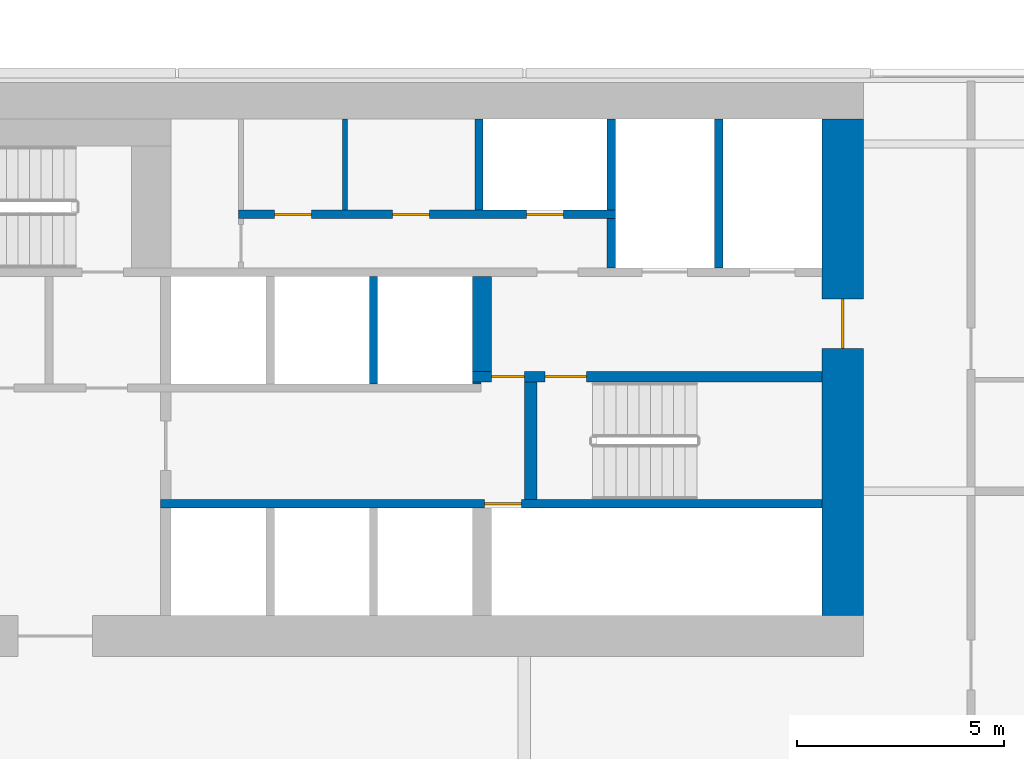
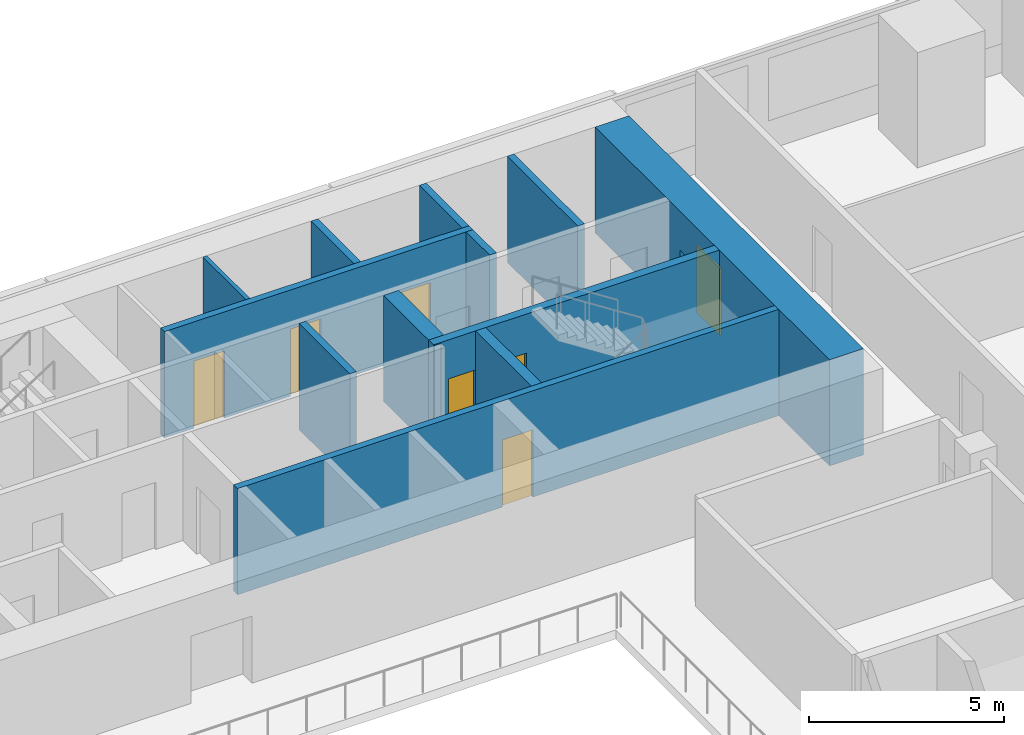
# One storey, part 21 of 26: 13 walls, 7 doors, 7 openings.
"""IFC4 building model written with IfcOpenShell, lengths in metres."""

from ifc_helpers import new_model, si_unit, direction, frame, frame_2d, origin, place, context, subcontext, project, spatial, rectangle, extrude, material, layer, layer_set, type_object, element, fill, save


model = new_model("IFC4")

# Units and contexts
model_context = context("Model", 3, precision=1e-05, world=origin(), true_north=direction((0.0, 1.0)))
body_context = subcontext(model_context, "Body", "Model", "MODEL_VIEW")
ifc_project = project(units=[si_unit("LENGTHUNIT", "METRE"), si_unit("AREAUNIT", "SQUARE_METRE"), si_unit("VOLUMEUNIT", "CUBIC_METRE"), si_unit("PLANEANGLEUNIT", "RADIAN"), si_unit("MASSUNIT", "GRAM", prefix="KILO")], contexts=[model_context])

# Site, building, storey
site_placement = place(None, origin())
site = spatial("IfcSite", under=ifc_project, at=site_placement, CompositionType="ELEMENT")
building_placement = place(site_placement, origin())
building = spatial("IfcBuilding", under=site, at=building_placement, Name="Saffron Gate Tower", CompositionType="ELEMENT")
storey_placement = place(building_placement, frame((0.0, 0.0, 102.449951171875)))
storey = spatial("IfcBuildingStorey", under=building, at=storey_placement, Name="L23", CompositionType="ELEMENT", Elevation=102.449951171875)

# Wall, opening, door
ifc_material_1 = material(Name="Concrete C70", Category="concrete")
ifc_layer_1 = layer(ifc_material_1, 1.0)
ifc_layer_set_1 = layer_set([ifc_layer_1], Name="CW12 RC core wall 1000 C70")
wall_type_1 = type_object("IfcWallType", Name="CW12 RC core wall 1000 C70", PredefinedType="SOLIDWALL", material=ifc_layer_set_1)
wall_1_placement = place(storey_placement, frame((107.89990234375, 62.39990234375, 0.0), z_axis=(0.0, 0.0, 1.0), x_axis=(0.0, 1.0, 0.0)))
wall_1 = element("IfcWall", 1, at=wall_1_placement, inside=storey, type_object=wall_type_1, Name="Wall CW12-L23-4", PredefinedType="SOLIDWALL", context=body_context, shape_type="SweptSolid", body=[
    extrude(rectangle(XDim=12.0, YDim=1.0, at=frame_2d((6.0, 0.0))), origin(), (0.0, 0.0, 1.0), 3.320068359375),
])
opening_1_placement = place(wall_1_placement, frame((6.449951171875, 0.0, 0.0)))
opening_1 = element("IfcOpeningElement", 2, at=opening_1_placement, cuts=wall_1, Name="Opening CR-08", PredefinedType="OPENING", context=body_context, shape_type="SweptSolid", body=[
    extrude(rectangle(XDim=1.199951171875, YDim=2.10009765625, at=frame_2d((0.60009765625, 1.050048828125))), frame((0.0, 0.510009765625, 0.0), z_axis=(0.0, -1.0, 0.0), x_axis=(1.0, 0.0, 0.0)), (0.0, 0.0, 1.0), 1.02001953125),
])
ifc_material_2 = material(Name="Steel fire door set", Category="steel")
door_type_1 = type_object("IfcDoorType", Name="CD7 Core entrance door 1200x2100 EI 120", OperationType="NOTDEFINED", PredefinedType="DOOR", material=ifc_material_2)
door_1_placement = place(opening_1_placement, origin())
door_1 = element("IfcDoor", 3, at=door_1_placement, inside=storey, type_object=door_type_1, Name="DOOR CR-08", OperationType="SINGLE_SWING_RIGHT", OverallHeight=2.10009765625, OverallWidth=1.199951171875, PredefinedType="DOOR", context=body_context, shape_type="SweptSolid", body=[
    extrude(rectangle(XDim=1.199951171875, YDim=2.10009765625, at=frame_2d((0.60009765625, 1.050048828125))), frame((0.0, 0.02490234375, 0.0), z_axis=(0.0, -1.0, 0.0), x_axis=(1.0, 0.0, 0.0)), (0.0, 0.0, 1.0), 0.050048828125),
])
fill(opening_1, door_1)

# Wall, openings, doors
ifc_layer_2 = layer(ifc_material_1, 0.25)
ifc_layer_set_2 = layer_set([ifc_layer_2], Name="CW2 RC core wall 250 C70")
wall_type_2 = type_object("IfcWallType", Name="CW2 RC core wall 250 C70", PredefinedType="SOLIDWALL", material=ifc_layer_set_2)
wall_2_placement = place(storey_placement, frame((98.949951171875, 68.175048828125, 0.0), z_axis=(0.0, 0.0, 1.0), x_axis=(1.0, 0.0, 0.0)))
wall_2 = element("IfcWall", 4, at=wall_2_placement, inside=storey, type_object=wall_type_2, Name="Wall CW2-L23-31", PredefinedType="SOLIDWALL", context=body_context, shape_type="SweptSolid", body=[
    extrude(rectangle(XDim=8.449951171875, YDim=0.25, at=frame_2d((4.22509765625, 0.0))), origin(), (0.0, 0.0, 1.0), 3.320068359375),
])
opening_2_placement = place(wall_2_placement, frame((0.449951171875, 0.0, 0.0)))
opening_2 = element("IfcOpeningElement", 5, at=opening_2_placement, cuts=wall_2, Name="Opening CR-05", PredefinedType="OPENING", context=body_context, shape_type="SweptSolid", body=[
    extrude(rectangle(XDim=0.800048828125, YDim=2.10009765625, at=frame_2d((0.39990234375, 1.050048828125))), frame((0.0, 0.135009765625, 0.0), z_axis=(0.0, -1.0, 0.0), x_axis=(1.0, 0.0, 0.0)), (0.0, 0.0, 1.0), 0.27001953125),
])
opening_3_placement = place(wall_2_placement, frame((1.75, 0.0, 0.0)))
opening_3 = element("IfcOpeningElement", 6, at=opening_3_placement, cuts=wall_2, Name="Opening CR-16", PredefinedType="OPENING", context=body_context, shape_type="SweptSolid", body=[
    extrude(rectangle(XDim=1.0, YDim=2.10009765625, at=frame_2d((0.5, 1.050048828125))), frame((0.0, 0.135009765625, 0.0), z_axis=(0.0, -1.0, 0.0), x_axis=(1.0, 0.0, 0.0)), (0.0, 0.0, 1.0), 0.27001953125),
])
door_type_2 = type_object("IfcDoorType", Name="CD5 Stair door 1000x2100 EI 120", OperationType="NOTDEFINED", PredefinedType="DOOR", material=ifc_material_2)
door_2_placement = place(opening_3_placement, origin())
door_2 = element("IfcDoor", 7, at=door_2_placement, inside=storey, type_object=door_type_2, Name="DOOR CR-16", OperationType="SINGLE_SWING_RIGHT", OverallHeight=2.10009765625, OverallWidth=1.0, PredefinedType="DOOR", context=body_context, shape_type="SweptSolid", body=[
    extrude(rectangle(XDim=1.0, YDim=2.10009765625, at=frame_2d((0.5, 1.050048828125))), frame((0.0, 0.02490234375, 0.0), z_axis=(0.0, -1.0, 0.0), x_axis=(1.0, 0.0, 0.0)), (0.0, 0.0, 1.0), 0.050048828125),
])
fill(opening_3, door_2)
door_type_3 = type_object("IfcDoorType", Name="CD6 Lobby door 800x2100 EI 120", OperationType="NOTDEFINED", PredefinedType="DOOR", material=ifc_material_2)
door_3_placement = place(opening_2_placement, origin())
door_3 = element("IfcDoor", 8, at=door_3_placement, inside=storey, type_object=door_type_3, Name="DOOR CR-05", OperationType="SINGLE_SWING_LEFT", OverallHeight=2.10009765625, OverallWidth=0.800048828125, PredefinedType="DOOR", context=body_context, shape_type="SweptSolid", body=[
    extrude(rectangle(XDim=0.800048828125, YDim=2.10009765625, at=frame_2d((0.39990234375, 1.050048828125))), frame((0.0, 0.02490234375, 0.0), z_axis=(0.0, -1.0, 0.0), x_axis=(1.0, 0.0, 0.0)), (0.0, 0.0, 1.0), 0.050048828125),
])
fill(opening_2, door_3)

# Wall, opening, door
ifc_layer_3 = layer(ifc_material_1, 0.199951171875)
ifc_layer_set_3 = layer_set([ifc_layer_3], Name="CW3 RC core wall 200 C70")
wall_type_3 = type_object("IfcWallType", Name="CW3 RC core wall 200 C70", PredefinedType="SOLIDWALL", material=ifc_layer_set_3)
wall_3_placement = place(storey_placement, frame((91.39990234375, 65.10009765625, 0.0), z_axis=(0.0, 0.0, 1.0), x_axis=(1.0, 0.0, 0.0)))
wall_3 = element("IfcWall", 9, at=wall_3_placement, inside=storey, type_object=wall_type_3, Name="Wall CW3-L23-15", PredefinedType="SOLIDWALL", context=body_context, shape_type="SweptSolid", body=[
    extrude(rectangle(XDim=16.0, YDim=0.199951171875, at=frame_2d((8.0, 0.0))), origin(), (0.0, 0.0, 1.0), 3.320068359375),
])
opening_4_placement = place(wall_3_placement, frame((7.830078125, 0.0, 0.0)))
opening_4 = element("IfcOpeningElement", 10, at=opening_4_placement, cuts=wall_3, Name="Opening CR-48", PredefinedType="OPENING", context=body_context, shape_type="SweptSolid", body=[
    extrude(rectangle(XDim=0.89990234375, YDim=2.10009765625, at=frame_2d((0.449951171875, 1.050048828125))), frame((0.0, 0.10986328125, 0.0), z_axis=(0.0, -1.0, 0.0), x_axis=(1.0, 0.0, 0.0)), (0.0, 0.0, 1.0), 0.219970703125),
])
door_type_4 = type_object("IfcDoorType", Name="CD2 Riser door 900x2100 EI 60", OperationType="NOTDEFINED", PredefinedType="DOOR", material=ifc_material_2)
door_4_placement = place(opening_4_placement, origin())
door_4 = element("IfcDoor", 11, at=door_4_placement, inside=storey, type_object=door_type_4, Name="DOOR CR-48", OperationType="SINGLE_SWING_RIGHT", OverallHeight=2.10009765625, OverallWidth=0.89990234375, PredefinedType="DOOR", context=body_context, shape_type="SweptSolid", body=[
    extrude(rectangle(XDim=0.89990234375, YDim=2.10009765625, at=frame_2d((0.449951171875, 1.050048828125))), frame((0.0, 0.02490234375, 0.0), z_axis=(0.0, -1.0, 0.0), x_axis=(1.0, 0.0, 0.0)), (0.0, 0.0, 1.0), 0.050048828125),
])
fill(opening_4, door_4)

# Walls
wall_4_placement = place(storey_placement, frame((96.550048828125, 68.0, 0.0), z_axis=(0.0, 0.0, 1.0), x_axis=(0.0, 1.0, 0.0)))
element("IfcWall", 12, at=wall_4_placement, inside=storey, type_object=wall_type_3, Name="Wall CW3-L23-28", PredefinedType="SOLIDWALL", context=body_context, shape_type="SweptSolid", body=[
    extrude(rectangle(XDim=2.60009765625, YDim=0.199951171875, at=frame_2d((1.300048828125, 0.0))), origin(), (0.0, 0.0, 1.0), 3.320068359375),
])
wall_5_placement = place(storey_placement, frame((102.300048828125, 70.800048828125, 0.0), z_axis=(0.0, 0.0, 1.0), x_axis=(0.0, 1.0, 0.0)))
element("IfcWall", 13, at=wall_5_placement, inside=storey, type_object=wall_type_3, Name="Wall CW3-L23-41", PredefinedType="SOLIDWALL", context=body_context, shape_type="SweptSolid", body=[
    extrude(rectangle(XDim=1.199951171875, YDim=0.199951171875, at=frame_2d((0.60009765625, 0.0))), origin(), (0.0, 0.0, 1.0), 3.320068359375),
])
wall_6_placement = place(storey_placement, frame((104.89990234375, 70.800048828125, 0.0), z_axis=(0.0, 0.0, 1.0), x_axis=(0.0, 1.0, 0.0)))
element("IfcWall", 14, at=wall_6_placement, inside=storey, type_object=wall_type_3, Name="Wall CW3-L23-42", PredefinedType="SOLIDWALL", context=body_context, shape_type="SweptSolid", body=[
    extrude(rectangle(XDim=3.599853515625, YDim=0.199951171875, at=frame_2d((1.7998046875, 0.0))), origin(), (0.0, 0.0, 1.0), 3.320068359375),
])

# Wall, openings, doors
wall_7_placement = place(storey_placement, frame((93.280029296875, 72.10009765625, 0.0), z_axis=(0.0, 0.0, 1.0), x_axis=(1.0, 0.0, 0.0)))
wall_7 = element("IfcWall", 15, at=wall_7_placement, inside=storey, type_object=wall_type_3, Name="Wall CW3-L23-44", PredefinedType="SOLIDWALL", context=body_context, shape_type="SweptSolid", body=[
    extrude(rectangle(XDim=9.119873046875, YDim=0.199951171875, at=frame_2d((4.56005859375, 0.0))), origin(), (0.0, 0.0, 1.0), 3.320068359375),
])
opening_5_placement = place(wall_7_placement, frame((0.8701171875, 0.0, 0.0)))
opening_5 = element("IfcOpeningElement", 16, at=opening_5_placement, cuts=wall_7, Name="Opening CR-50", PredefinedType="OPENING", context=body_context, shape_type="SweptSolid", body=[
    extrude(rectangle(XDim=0.89990234375, YDim=2.10009765625, at=frame_2d((0.449951171875, 1.050048828125))), frame((0.0, 0.10986328125, 0.0), z_axis=(0.0, -1.0, 0.0), x_axis=(1.0, 0.0, 0.0)), (0.0, 0.0, 1.0), 0.219970703125),
])
opening_6_placement = place(wall_7_placement, frame((3.72998046875, 0.0, 0.0)))
opening_6 = element("IfcOpeningElement", 17, at=opening_6_placement, cuts=wall_7, Name="Opening CR-53", PredefinedType="OPENING", context=body_context, shape_type="SweptSolid", body=[
    extrude(rectangle(XDim=0.89990234375, YDim=2.10009765625, at=frame_2d((0.449951171875, 1.050048828125))), frame((0.0, 0.10986328125, 0.0), z_axis=(0.0, -1.0, 0.0), x_axis=(1.0, 0.0, 0.0)), (0.0, 0.0, 1.0), 0.219970703125),
])
opening_7_placement = place(wall_7_placement, frame((6.969970703125, 0.0, 0.0)))
opening_7 = element("IfcOpeningElement", 18, at=opening_7_placement, cuts=wall_7, Name="Opening CR-70", PredefinedType="OPENING", context=body_context, shape_type="SweptSolid", body=[
    extrude(rectangle(XDim=0.89990234375, YDim=2.10009765625, at=frame_2d((0.449951171875, 1.050048828125))), frame((0.0, 0.10986328125, 0.0), z_axis=(0.0, -1.0, 0.0), x_axis=(1.0, 0.0, 0.0)), (0.0, 0.0, 1.0), 0.219970703125),
])
door_5_placement = place(opening_7_placement, origin())
door_5 = element("IfcDoor", 19, at=door_5_placement, inside=storey, type_object=door_type_4, Name="DOOR CR-70", OperationType="SINGLE_SWING_LEFT", OverallHeight=2.10009765625, OverallWidth=0.89990234375, PredefinedType="DOOR", context=body_context, shape_type="SweptSolid", body=[
    extrude(rectangle(XDim=0.89990234375, YDim=2.10009765625, at=frame_2d((0.449951171875, 1.050048828125))), frame((0.0, 0.02490234375, 0.0), z_axis=(0.0, -1.0, 0.0), x_axis=(1.0, 0.0, 0.0)), (0.0, 0.0, 1.0), 0.050048828125),
])
fill(opening_7, door_5)
door_type_5 = type_object("IfcDoorType", Name="CD9 Room door 900x2100 EI 60", OperationType="NOTDEFINED", PredefinedType="DOOR", material=ifc_material_2)
door_6_placement = place(opening_5_placement, origin())
door_6 = element("IfcDoor", 20, at=door_6_placement, inside=storey, type_object=door_type_5, Name="DOOR CR-50", OperationType="SINGLE_SWING_LEFT", OverallHeight=2.10009765625, OverallWidth=0.89990234375, PredefinedType="DOOR", context=body_context, shape_type="SweptSolid", body=[
    extrude(rectangle(XDim=0.89990234375, YDim=2.10009765625, at=frame_2d((0.449951171875, 1.050048828125))), frame((0.0, 0.02490234375, 0.0), z_axis=(0.0, -1.0, 0.0), x_axis=(1.0, 0.0, 0.0)), (0.0, 0.0, 1.0), 0.050048828125),
])
fill(opening_5, door_6)
door_7_placement = place(opening_6_placement, origin())
door_7 = element("IfcDoor", 21, at=door_7_placement, inside=storey, type_object=door_type_5, Name="DOOR CR-53", OperationType="SINGLE_SWING_LEFT", OverallHeight=2.10009765625, OverallWidth=0.89990234375, PredefinedType="DOOR", context=body_context, shape_type="SweptSolid", body=[
    extrude(rectangle(XDim=0.89990234375, YDim=2.10009765625, at=frame_2d((0.449951171875, 1.050048828125))), frame((0.0, 0.02490234375, 0.0), z_axis=(0.0, -1.0, 0.0), x_axis=(1.0, 0.0, 0.0)), (0.0, 0.0, 1.0), 0.050048828125),
])
fill(opening_6, door_7)

# Walls
for number, where, z_axis, x_axis, name in (
    (22, (99.10009765625, 72.199951171875, 0.0), (0.0, 0.0, 1.0), (0.0, 1.0, 0.0), "Wall CW3-L23-51"),
    (23, (102.300048828125, 72.199951171875, 0.0), (0.0, 0.0, 1.0), (0.0, 1.0, 0.0), "Wall CW3-L23-52"),
):
    element("IfcWall", number, at=place(storey_placement, frame(where, z_axis=z_axis, x_axis=x_axis)), inside=storey, type_object=wall_type_3, Name=name, PredefinedType="SOLIDWALL", context=body_context, shape_type="SweptSolid", body=[
        extrude(rectangle(XDim=2.199951171875, YDim=0.199951171875, at=frame_2d((1.10009765625, 0.0))), origin(), (0.0, 0.0, 1.0), 3.320068359375),
    ])
ifc_layer_4 = layer(ifc_material_1, 0.449951171875)
ifc_layer_set_4 = layer_set([ifc_layer_4], Name="CW4 RC core wall 450 C70")
wall_type_4 = type_object("IfcWallType", Name="CW4 RC core wall 450 C70", PredefinedType="SOLIDWALL", material=ifc_layer_set_4)
wall_8_placement = place(storey_placement, frame((99.175048828125, 68.300048828125, 0.0), z_axis=(0.0, 0.0, 1.0), x_axis=(0.0, 1.0, 0.0)))
element("IfcWall", 24, at=wall_8_placement, inside=storey, type_object=wall_type_4, Name="Wall CW4-L23-33", PredefinedType="SOLIDWALL", context=body_context, shape_type="SweptSolid", body=[
    extrude(rectangle(XDim=2.300048828125, YDim=0.449951171875, at=frame_2d((1.14990234375, 0.0))), origin(), (0.0, 0.0, 1.0), 3.320068359375),
])
ifc_layer_5 = layer(ifc_material_1, 0.300048828125)
ifc_layer_set_5 = layer_set([ifc_layer_5], Name="CW5 RC core wall 300 C70")
wall_type_5 = type_object("IfcWallType", Name="CW5 RC core wall 300 C70", PredefinedType="SOLIDWALL", material=ifc_layer_set_5)
wall_9_placement = place(storey_placement, frame((100.35009765625, 65.199951171875, 0.0), z_axis=(0.0, 0.0, 1.0), x_axis=(0.0, 1.0, 0.0)))
element("IfcWall", 25, at=wall_9_placement, inside=storey, type_object=wall_type_5, Name="Wall CW5-L23-19", PredefinedType="SOLIDWALL", context=body_context, shape_type="SweptSolid", body=[
    extrude(rectangle(XDim=2.85009765625, YDim=0.300048828125, at=frame_2d((1.425048828125, 0.0))), origin(), (0.0, 0.0, 1.0), 3.320068359375),
])
ifc_layer_6 = layer(ifc_material_1, 0.050048828125)
ifc_layer_set_6 = layer_set([ifc_layer_6], Name="CW6 RC core wall 50 C70")
wall_type_6 = type_object("IfcWallType", Name="CW6 RC core wall 50 C70", PredefinedType="SOLIDWALL", material=ifc_layer_set_6)
wall_10_placement = place(storey_placement, frame((98.949951171875, 68.02490234375, 0.0), z_axis=(0.0, 0.0, 1.0), x_axis=(1.0, 0.0, 0.0)))
element("IfcWall", 26, at=wall_10_placement, inside=storey, type_object=wall_type_6, Name="Wall CW6-L23-29", PredefinedType="SOLIDWALL", context=body_context, shape_type="SweptSolid", body=[
    extrude(rectangle(XDim=0.199951171875, YDim=0.050048828125, at=frame_2d((0.10009765625, 0.0))), origin(), (0.0, 0.0, 1.0), 3.320068359375),
])
ifc_material_3 = material(Name="Gypsum board partition on steel studs", Category="steel")
ifc_layer_7 = layer(ifc_material_3, 0.1201171875)
ifc_layer_set_7 = layer_set([ifc_layer_7], Name="CW8 Core partition 120")
wall_type_7 = type_object("IfcWallType", Name="CW8 Core partition 120", PredefinedType="PARTITIONING", material=ifc_layer_set_7)
wall_11_placement = place(storey_placement, frame((95.860107421875, 72.199951171875, 0.0), z_axis=(0.0, 0.0, 1.0), x_axis=(0.0, 1.0, 0.0)))
element("IfcWall", 27, at=wall_11_placement, inside=storey, type_object=wall_type_7, Name="Wall CW8-L23-50", PredefinedType="PARTITIONING", context=body_context, shape_type="SweptSolid", body=[
    extrude(rectangle(XDim=2.199951171875, YDim=0.1201171875, at=frame_2d((1.10009765625, 0.0))), origin(), (0.0, 0.0, 1.0), 3.320068359375),
])

save(model, "model.ifc")
